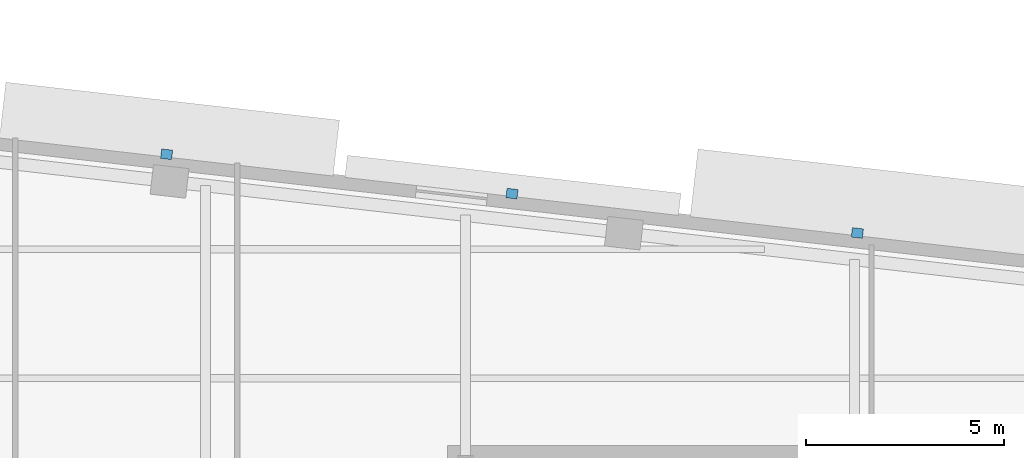
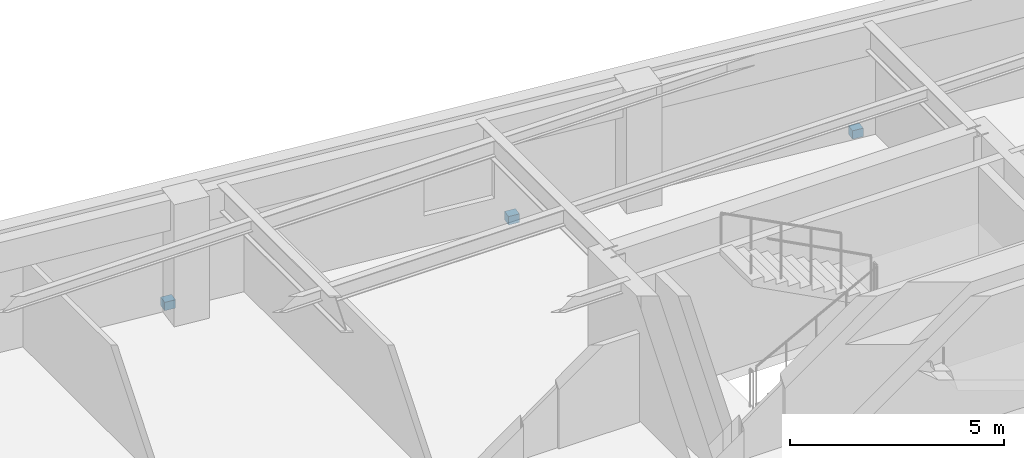
# One storey, part 9 of 13: 3 discrete accessories.
"""IFC4 building model written with IfcOpenShell, lengths in metres."""

from ifc_helpers import new_model, si_unit, direction, frame, origin, origin_2d, place, context, subcontext, project, spatial, rectangle, extrude, material, type_object, element, save


model = new_model("IFC4")

# Units and contexts
model_context = context("Model", 3, precision=1e-05, world=origin(), true_north=direction((0.0, 1.0)))
body_context = subcontext(model_context, "Body", "Model", "MODEL_VIEW")
ifc_project = project(units=[si_unit("LENGTHUNIT", "METRE"), si_unit("AREAUNIT", "SQUARE_METRE"), si_unit("VOLUMEUNIT", "CUBIC_METRE"), si_unit("PLANEANGLEUNIT", "RADIAN"), si_unit("MASSUNIT", "GRAM", prefix="KILO")], contexts=[model_context])

# Site, building, storey
site_placement = place(None, origin())
site = spatial("IfcSite", under=ifc_project, at=site_placement, CompositionType="ELEMENT")
building_placement = place(site_placement, origin())
building = spatial("IfcBuilding", under=site, at=building_placement, Name="Kolvaren Arena Tower", CompositionType="ELEMENT")
storey_placement = place(building_placement, frame((0.0, 0.0, 250.949951171875)))
storey = spatial("IfcBuildingStorey", under=building, at=storey_placement, Name="L61", CompositionType="ELEMENT", Elevation=250.949951171875)

# Discrete accessories
ifc_material = material(Name="Stainless steel facade support bracket", Category="steel")
discrete_accessory_type = type_object("IfcDiscreteAccessoryType", Name="ACC-BRKT-1", PredefinedType="BRACKET", material=ifc_material)
for number, where, z_axis, x_axis, name in (
    (1, (43.017333984375, 47.141357421875, -0.18017578125), (0.0, 0.0, 1.0), (0.993571658098, -0.113204947878, 0.0), "Sunshade Support Bracket (L61)"),
    (2, (51.720947265625, 46.149658203125, -0.18017578125), (0.0, 0.0, 1.0), (0.993571658098, -0.113204947878, 0.0), "Sunshade Support Bracket (L61)"),
    (3, (60.424560546875, 45.157958984375, -0.18017578125), (0.0, 0.0, 1.0), (0.993571658098, -0.113204947878, 0.0), "Sunshade Support Bracket (L61)"),
):
    element("IfcDiscreteAccessory", number, at=place(storey_placement, frame(where, z_axis=z_axis, x_axis=x_axis)), inside=storey, type_object=discrete_accessory_type, Name=name, PredefinedType="BRACKET", context=body_context, shape_type="SweptSolid", body=[
        extrude(rectangle(XDim=0.280029296875, YDim=0.239990234375, at=origin_2d()), origin(), (0.0, 0.0, 1.0), 0.239990234375),
    ])

save(model, "model.ifc")
